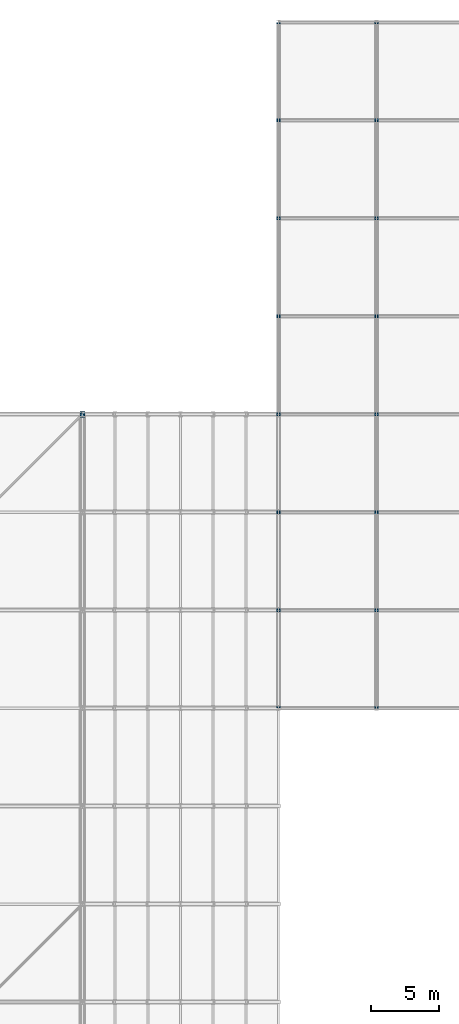
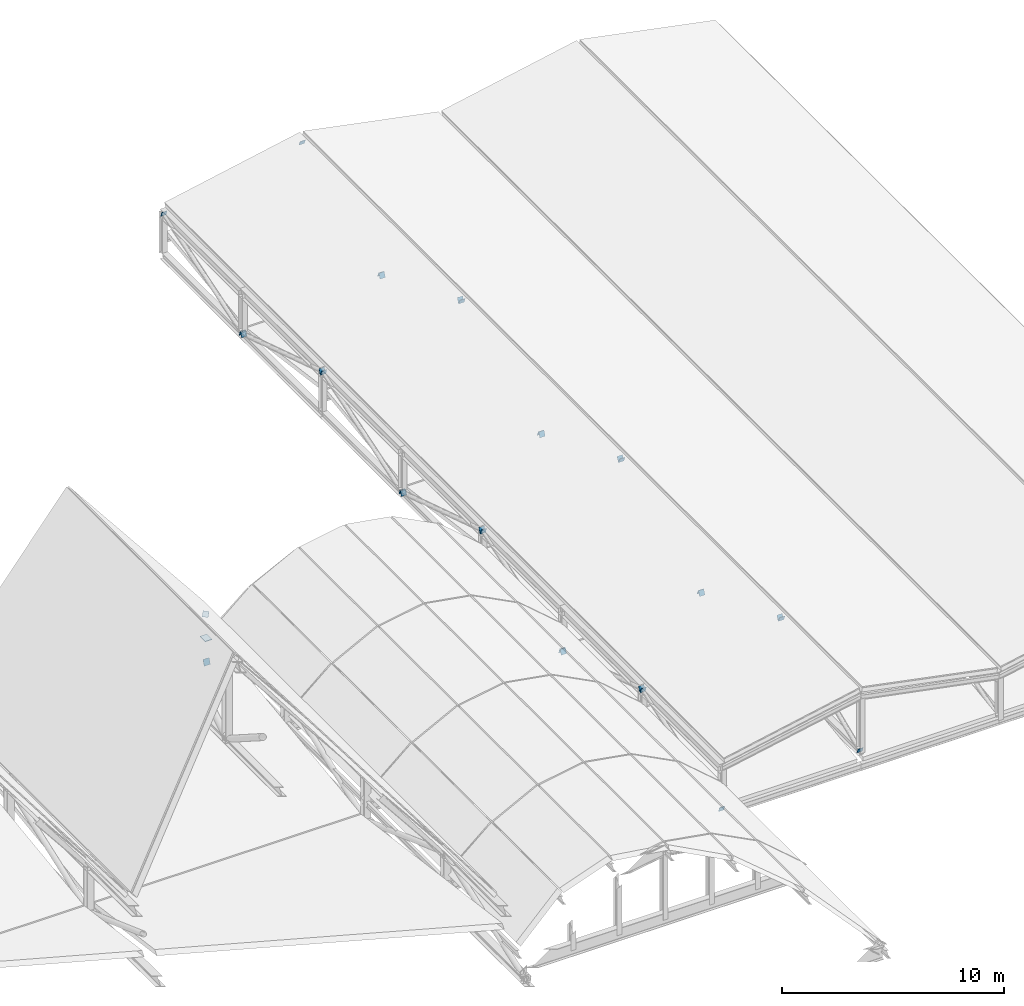
# One storey, part 55 of 60: 31 plates.
"""IFC4 building model written with IfcOpenShell, lengths in metres."""

import ifcopenshell
import ifcopenshell.guid

model = None  # the IFC model being written
_history = None  # IfcOwnerHistory: only IFC2X3 demands one
_inside = {}  # id of a spatial element -> (the spatial element, [elements in it])
_under = {}  # id of a project, library or spatial element -> (it, [spatial elements below it])
_declared = {}  # id of a project -> (the project, [libraries it declares])
_typed = {}  # id of a type object -> (the type object, [elements of that type])
_made_of = {}  # id of a material, layer set ... -> (it, [elements and type objects made of it])


def new_model(schema):
    """Start an empty IFC model of exactly this schema.

    Asked for "IFC4X3", IfcOpenShell would pick the latest addendum, in which some entities
    have other attributes; the version numbers below select the first issue.
    IFC2X3 requires an IfcOwnerHistory on every rooted entity: one is made here for all.
    """
    global model, _history
    if schema == "IFC4X3":
        model = ifcopenshell.file(schema_version=(4, 3, 0, 0))
    else:
        model = ifcopenshell.file(schema=schema)
    _inside.clear()
    _under.clear()
    _declared.clear()
    _typed.clear()
    _made_of.clear()
    _history = None
    if model.schema == "IFC2X3":
        org = make("IfcOrganization", Name="unknown")
        user = make(
            "IfcPersonAndOrganization",
            ThePerson=make("IfcPerson", FamilyName="unknown"),
            TheOrganization=org,
        )
        app = make(
            "IfcApplication",
            ApplicationDeveloper=org,
            Version="unknown",
            ApplicationFullName="unknown",
            ApplicationIdentifier="unknown",
        )
        _history = make(
            "IfcOwnerHistory",
            OwningUser=user,
            OwningApplication=app,
            ChangeAction="ADDED",
            CreationDate=0,
        )
    return model


def make(cls, **values):
    """One entity of the class cls with the attributes given. An attribute that is None is left unset."""
    return model.create_entity(
        cls, **{name: value for name, value in values.items() if value is not None}
    )


def rooted(cls, **values):
    """An entity with a GlobalId (a new one), such as an element, a storey or a relation."""
    return make(cls, GlobalId=ifcopenshell.guid.new(), OwnerHistory=_history, **values)


def si_unit(unit_type, name, prefix=None):
    """IfcSIUnit, for example si_unit("LENGTHUNIT", "METRE", prefix="MILLI")."""
    return make("IfcSIUnit", UnitType=unit_type, Prefix=prefix, Name=name)


def assignment(units):
    """IfcUnitAssignment: the units of a project."""
    return None if units is None else make("IfcUnitAssignment", Units=units)


def point(xyz):
    """IfcCartesianPoint."""
    return None if xyz is None else make("IfcCartesianPoint", Coordinates=xyz)


def direction(xyz):
    """IfcDirection."""
    return None if xyz is None else make("IfcDirection", DirectionRatios=xyz)


def frame(location, z_axis=None, x_axis=None):
    """IfcAxis2Placement3D, a coordinate frame: its origin and axes. An axis left out is left unset."""
    return make(
        "IfcAxis2Placement3D",
        Location=point(location),
        Axis=direction(z_axis),
        RefDirection=direction(x_axis),
    )


def frame_2d(location, x_axis=None):
    """IfcAxis2Placement2D, a coordinate frame in the plane: its origin and x axis."""
    return make(
        "IfcAxis2Placement2D", Location=point(location), RefDirection=direction(x_axis)
    )


def origin():
    """The frame at (0, 0, 0) with its axes left unset."""
    return frame((0.0, 0.0, 0.0))


def origin_2d():
    """The frame at (0, 0) in the plane with its x axis left unset."""
    return frame_2d((0.0, 0.0))


def place(relative_to, where):
    """IfcLocalPlacement: puts the frame where relative to a parent placement (None: the world)."""
    return make(
        "IfcLocalPlacement", PlacementRelTo=relative_to, RelativePlacement=where
    )


def context(
    kind, dimensions, precision=None, world=None, true_north=None, identifier=None
):
    """IfcGeometricRepresentationContext, for example the 3D "Model" context."""
    return make(
        "IfcGeometricRepresentationContext",
        ContextIdentifier=identifier,
        ContextType=kind,
        CoordinateSpaceDimension=dimensions,
        Precision=precision,
        WorldCoordinateSystem=world,
        TrueNorth=true_north,
    )


def subcontext(parent, identifier, kind, view, scale=None):
    """IfcGeometricRepresentationSubContext, for example "Body" below "Model"."""
    return make(
        "IfcGeometricRepresentationSubContext",
        ContextIdentifier=identifier,
        ContextType=kind,
        ParentContext=parent,
        TargetScale=scale,
        TargetView=view,
    )


def project(units=None, contexts=None):
    """IfcProject with its units and contexts."""
    return rooted(
        "IfcProject",
        Name="project",
        RepresentationContexts=contexts,
        UnitsInContext=assignment(units),
    )


def spatial(cls, under=None, at=None, **own):
    """A site, building, storey or space (cls), placed at a placement, below another one or the project."""
    s = rooted(cls, ObjectPlacement=at, **own)
    if under is not None:
        _under.setdefault(under.id(), (under, []))[1].append(s)
    return s


def profile(cls, at=None, kind="AREA", **sizes):
    """A parametric profile (cls). Its sizes go by their IFC names, for example OverallWidth=200.0."""
    return make(cls, ProfileType=kind, Position=at, **sizes)


def rectangle(**sizes):
    """IfcRectangleProfileDef."""
    return profile("IfcRectangleProfileDef", **sizes)


def extrude(swept, where, along, depth):
    """IfcExtrudedAreaSolid: the profile swept, set in the frame where, extruded along a direction by depth."""
    return make(
        "IfcExtrudedAreaSolid",
        SweptArea=swept,
        Position=where,
        ExtrudedDirection=direction(along),
        Depth=depth,
    )


def shape(context_of_items, identifier, shape_type, items):
    """IfcShapeRepresentation: the items that make up one representation, for example the "Body"."""
    return make(
        "IfcShapeRepresentation",
        ContextOfItems=context_of_items,
        RepresentationIdentifier=identifier,
        RepresentationType=shape_type,
        Items=items,
    )


def material(Name=None, Category=None):
    """IfcMaterial."""
    return make("IfcMaterial", Name=Name, Category=Category)


def layer(
    of_material, thickness, ventilated=None, Name=None, Category=None, Priority=None
):
    """IfcMaterialLayer: one layer of a wall or slab, of a material (None: an air gap)."""
    return make(
        "IfcMaterialLayer",
        Material=of_material,
        LayerThickness=thickness,
        IsVentilated=ventilated,
        Name=Name,
        Category=Category,
        Priority=Priority,
    )


def layer_set(layers, Name=None):
    """IfcMaterialLayerSet."""
    return make("IfcMaterialLayerSet", MaterialLayers=layers, LayerSetName=Name)


def made_of(thing, what):
    """Note that an element or type object is made of a material, layer set ...; save() writes the relation."""
    if what is not None:
        _made_of.setdefault(what.id(), (what, []))[1].append(thing)
    return thing


def type_object(cls, material=None, **own):
    """A type object (cls), such as IfcWallType, which elements share."""
    return made_of(rooted(cls, **own), material)


def element(
    cls,
    number,
    at=None,
    inside=None,
    cuts=None,
    type_object=None,
    material=None,
    context=None,
    identifier="Body",
    shape_type=None,
    held_by="IfcProductDefinitionShape",
    body=None,
    shapes=None,
    **own,
):
    """One element of the class cls, such as IfcWall. Its Tag is "e" and its number.

    at: its placement. inside: the storey or other place that contains it. cuts: it is an
    opening in that element (IfcRelVoidsElement). A single representation is given by context,
    identifier, shape_type and body (its items); several are given by shapes. held_by: the class
    of the entity that holds the representations. save() writes the other relations.
    """
    e = rooted(cls, Tag="e%d" % number, ObjectPlacement=at, **own)
    if body is not None:
        shapes = [shape(context, identifier, shape_type, body)]
    if shapes is not None:
        e.Representation = make(held_by, Representations=shapes)
    if inside is not None:
        _inside.setdefault(inside.id(), (inside, []))[1].append(e)
    if cuts is not None:
        rooted(
            "IfcRelVoidsElement", RelatingBuildingElement=cuts, RelatedOpeningElement=e
        )
    if type_object is not None:
        _typed.setdefault(type_object.id(), (type_object, []))[1].append(e)
    return made_of(e, material)


def aggregate(whole, parts):
    """IfcRelAggregates: a whole, such as a stair, and the parts it consists of."""
    return rooted("IfcRelAggregates", RelatingObject=whole, RelatedObjects=parts)


def save(model, path):
    """Write the relations noted so far, then the file.

    IfcRelAggregates (storeys below a building ...), IfcRelContainedInSpatialStructure (elements
    in a storey), IfcRelDefinesByType, IfcRelAssociatesMaterial and IfcRelDeclares: one each for
    every whole, place, type object, material and project.
    """
    for whole, parts in _under.values():
        aggregate(whole, parts)
    for where, things in _inside.values():
        rooted(
            "IfcRelContainedInSpatialStructure",
            RelatedElements=things,
            RelatingStructure=where,
        )
    for kind, things in _typed.values():
        rooted("IfcRelDefinesByType", RelatedObjects=things, RelatingType=kind)
    for what, things in _made_of.values():
        rooted("IfcRelAssociatesMaterial", RelatedObjects=things, RelatingMaterial=what)
    for by, libraries in _declared.values():
        rooted("IfcRelDeclares", RelatingContext=by, RelatedDefinitions=libraries)
    model.write(path)


model = new_model("IFC4")

# Units and contexts
model_context = context("Model", 3, precision=1e-05, world=origin(), true_north=direction((0.0, 1.0)))
body_context = subcontext(model_context, "Body", "Model", "MODEL_VIEW")
ifc_project = project(units=[si_unit("LENGTHUNIT", "METRE"), si_unit("AREAUNIT", "SQUARE_METRE"), si_unit("VOLUMEUNIT", "CUBIC_METRE"), si_unit("PLANEANGLEUNIT", "RADIAN"), si_unit("MASSUNIT", "GRAM", prefix="KILO")], contexts=[model_context])

# Site, building, storey
site_placement = place(None, origin())
site = spatial("IfcSite", under=ifc_project, at=site_placement, CompositionType="ELEMENT")
building_placement = place(site_placement, origin())
building = spatial("IfcBuilding", under=site, at=building_placement, Name="Vesperath Aquatics Centre", CompositionType="ELEMENT")
storey_placement = place(building_placement, frame((0.0, 0.0, 27.60009765625)))
storey = spatial("IfcBuildingStorey", under=building, at=storey_placement, Name="RF", CompositionType="ELEMENT", Elevation=27.60009765625)

# Plates
ifc_material = material(Name="Steel Q355D", Category="steel")
ifc_layer_1 = layer(ifc_material, 0.02001953125)
ifc_layer_set_1 = layer_set([ifc_layer_1], Name="Steel Q355D")
plate_type_1 = type_object("IfcPlateType", Name="PT-TN02", PredefinedType="SHEET", material=ifc_layer_set_1)
plate_1_placement = place(storey_placement, frame((100.800048828125, 86.32470703125, -12.372802734375), z_axis=(0.0, 0.940553899656, -0.339644463876), x_axis=(-1.0, 0.0, 0.0)))
element("IfcPlate", 1, at=plate_1_placement, inside=storey, type_object=plate_type_1, Name="Truss Node Cap Plate TN02", PredefinedType="SHEET", context=body_context, shape_type="SweptSolid", body=[
    extrude(rectangle(XDim=0.320068359375, YDim=0.320068359375, at=origin_2d()), origin(), (0.0, 0.0, 1.0), 0.02001953125),
])
ifc_layer_2 = layer(ifc_material, 0.01806640625)
ifc_layer_set_2 = layer_set([ifc_layer_2], Name="Steel Q355D")
plate_type_2 = type_object("IfcPlateType", Name="PT-TN03", PredefinedType="SHEET", material=ifc_layer_set_2)
for number, where, z_axis, x_axis, name in (
    (2, (100.757568359375, 86.357421875, -9.7470703125), (0.529812942738, 0.529812942738, -0.662266178673), (-0.707106781187, 0.707106781187, 0.0), "Truss Node Cap Plate TN03"),
    (3, (115.199951171875, 64.859130859375, -12.481201171875), (0.0, 0.952577642985, 0.304295635995), (-1.0, 0.0, 0.0), "Truss Node Cap Plate TN03"),
    (4, (115.199951171875, 71.923828125, -10.224365234375), (0.0, 0.952577642985, 0.304295635995), (-1.0, 0.0, 0.0), "Truss Node Cap Plate TN03"),
    (5, (115.199951171875, 72.05908203125, -10.218994140625), (0.0, 0.952577642985, -0.304295635995), (-1.0, 0.0, 0.0), "Truss Node Cap Plate TN03"),
    (6, (115.199951171875, 79.123779296875, -12.475830078125), (0.0, 0.952577642985, -0.304295635995), (-1.0, 0.0, 0.0), "Truss Node Cap Plate TN03"),
    (7, (115.199951171875, 79.259033203125, -12.481201171875), (0.0, 0.952577642985, 0.304295635995), (-1.0, 0.0, 0.0), "Truss Node Cap Plate TN03"),
    (8, (115.199951171875, 86.32373046875, -10.224365234375), (0.0, 0.952577642985, 0.304295635995), (-1.0, 0.0, 0.0), "Truss Node Cap Plate TN03"),
    (9, (115.199951171875, 86.458984375, -10.218994140625), (0.0, 0.952577642985, -0.304295635995), (-1.0, 0.0, 0.0), "Truss Node Cap Plate TN03"),
    (10, (115.199951171875, 93.52392578125, -12.475830078125), (0.0, 0.952577642985, -0.304295635995), (-1.0, 0.0, 0.0), "Truss Node Cap Plate TN03"),
    (11, (115.199951171875, 93.6591796875, -12.481201171875), (0.0, 0.952577642985, 0.304295635995), (-1.0, 0.0, 0.0), "Truss Node Cap Plate TN03"),
    (12, (115.199951171875, 100.723876953125, -10.224365234375), (0.0, 0.952577642985, 0.304295635995), (-1.0, 0.0, 0.0), "Truss Node Cap Plate TN03"),
    (13, (115.199951171875, 100.859130859375, -10.218994140625), (0.0, 0.952577642985, -0.304295635995), (-1.0, 0.0, 0.0), "Truss Node Cap Plate TN03"),
    (14, (115.199951171875, 107.923828125, -12.475830078125), (0.0, 0.952577642985, -0.304295635995), (-1.0, 0.0, 0.0), "Truss Node Cap Plate TN03"),
    (15, (115.199951171875, 108.05908203125, -12.481201171875), (0.0, 0.952577642985, 0.304295635995), (-1.0, 0.0, 0.0), "Truss Node Cap Plate TN03"),
    (16, (115.199951171875, 115.123779296875, -10.224365234375), (0.0, 0.952577642985, 0.304295635995), (-1.0, 0.0, 0.0), "Truss Node Cap Plate TN03"),
    (17, (122.39990234375, 64.857177734375, -11.776123046875), (0.0, 0.923076922929, 0.38461538497), (-1.0, 0.0, 0.0), "Truss Node Cap Plate TN03"),
    (18, (122.39990234375, 71.92626953125, -8.830810546875), (0.0, 0.923076922929, 0.38461538497), (-1.0, 0.0, 0.0), "Truss Node Cap Plate TN03"),
    (19, (122.39990234375, 72.05712890625, -8.823974609375), (0.0, 0.923076922929, -0.38461538497), (-1.0, 0.0, 0.0), "Truss Node Cap Plate TN03"),
    (20, (122.39990234375, 79.126220703125, -11.769287109375), (0.0, 0.923076922929, -0.38461538497), (-1.0, 0.0, 0.0), "Truss Node Cap Plate TN03"),
    (21, (122.39990234375, 79.25732421875, -11.776123046875), (0.0, 0.923076922929, 0.38461538497), (-1.0, 0.0, 0.0), "Truss Node Cap Plate TN03"),
    (22, (122.39990234375, 86.326171875, -8.830810546875), (0.0, 0.923076922929, 0.38461538497), (-1.0, 0.0, 0.0), "Truss Node Cap Plate TN03"),
    (23, (122.39990234375, 86.457275390625, -8.823974609375), (0.0, 0.923076922929, -0.38461538497), (-1.0, 0.0, 0.0), "Truss Node Cap Plate TN03"),
    (24, (122.39990234375, 93.526123046875, -11.769287109375), (0.0, 0.923076922929, -0.38461538497), (-1.0, 0.0, 0.0), "Truss Node Cap Plate TN03"),
    (25, (122.39990234375, 93.6572265625, -11.776123046875), (0.0, 0.923076922929, 0.38461538497), (-1.0, 0.0, 0.0), "Truss Node Cap Plate TN03"),
    (26, (122.39990234375, 100.72607421875, -8.830810546875), (0.0, 0.923076922929, 0.38461538497), (-1.0, 0.0, 0.0), "Truss Node Cap Plate TN03"),
    (27, (122.39990234375, 100.857177734375, -8.823974609375), (0.0, 0.923076922929, -0.38461538497), (-1.0, 0.0, 0.0), "Truss Node Cap Plate TN03"),
    (28, (122.39990234375, 107.92626953125, -11.769287109375), (0.0, 0.923076922929, -0.38461538497), (-1.0, 0.0, 0.0), "Truss Node Cap Plate TN03"),
    (29, (122.39990234375, 108.05712890625, -11.776123046875), (0.0, 0.923076922929, 0.38461538497), (-1.0, 0.0, 0.0), "Truss Node Cap Plate TN03"),
    (30, (122.39990234375, 115.126220703125, -8.830810546875), (0.0, 0.923076922929, 0.38461538497), (-1.0, 0.0, 0.0), "Truss Node Cap Plate TN03"),
):
    element("IfcPlate", number, at=place(storey_placement, frame(where, z_axis=z_axis, x_axis=x_axis)), inside=storey, type_object=plate_type_2, Name=name, PredefinedType="SHEET", context=body_context, shape_type="SweptSolid", body=[
        extrude(rectangle(XDim=0.280029296875, YDim=0.280029296875, at=origin_2d()), origin(), (0.0, 0.0, 1.0), 0.01806640625),
    ])
ifc_layer_3 = layer(ifc_material, 0.02197265625)
ifc_layer_set_3 = layer_set([ifc_layer_3], Name="Steel Q355D")
plate_type_3 = type_object("IfcPlateType", Name="PT-TN06", PredefinedType="SHEET", material=ifc_layer_set_3)
plate_2_placement = place(storey_placement, frame((100.800048828125, 86.39990234375, -11.111083984375), z_axis=(0.0, 0.0, 1.0), x_axis=(0.0, 1.0, 0.0)))
element("IfcPlate", 31, at=plate_2_placement, inside=storey, type_object=plate_type_3, Name="Truss Support Gusset Plate TN06 G15/N", PredefinedType="SHEET", context=body_context, shape_type="SweptSolid", body=[
    extrude(rectangle(XDim=0.47998046875, YDim=0.360107421875, at=origin_2d()), origin(), (0.0, 0.0, 1.0), 0.02197265625),
])

save(model, "model.ifc")
